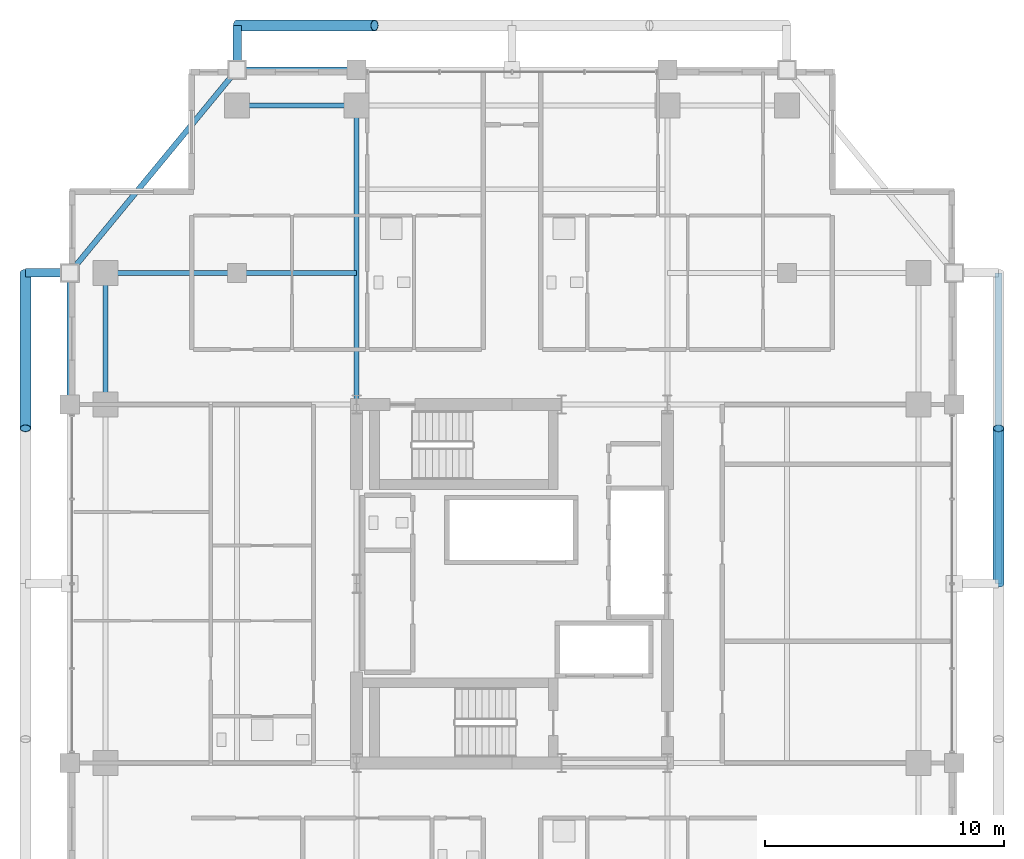
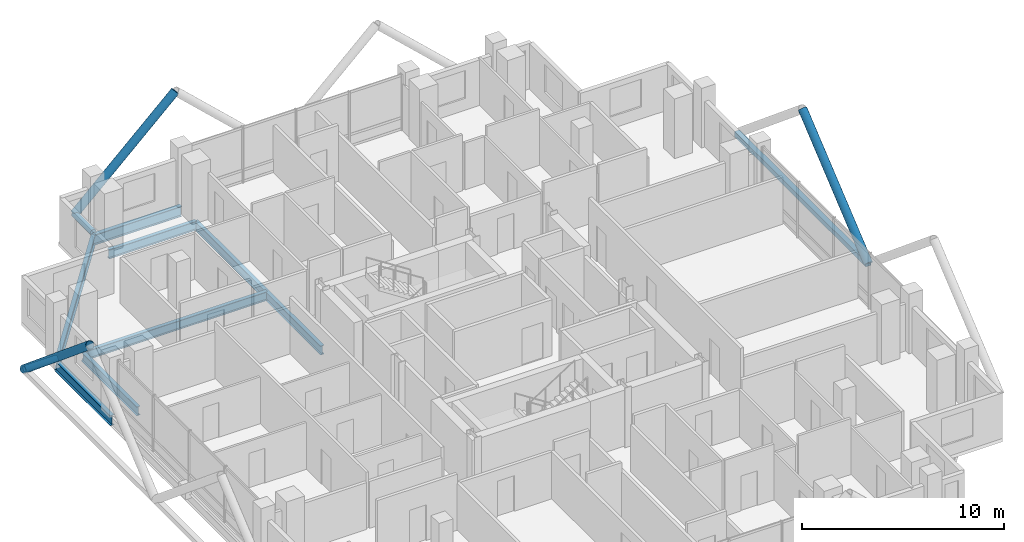
# One storey, part 14 of 26: 8 beams, 6 members.
"""IFC4 building model written with IfcOpenShell, lengths in metres."""

from ifc_helpers import new_model, si_unit, direction, frame, origin, origin_2d, place, context, subcontext, project, spatial, hollow_rectangle, hollow_circle, i_section, extrude, material, material_profile, profile_set, type_object, element, save


model = new_model("IFC4")

# Units and contexts
model_context = context("Model", 3, precision=1e-05, world=origin(), true_north=direction((0.0, 1.0)))
body_context = subcontext(model_context, "Body", "Model", "MODEL_VIEW")
ifc_project = project(units=[si_unit("LENGTHUNIT", "METRE"), si_unit("AREAUNIT", "SQUARE_METRE"), si_unit("VOLUMEUNIT", "CUBIC_METRE"), si_unit("PLANEANGLEUNIT", "RADIAN"), si_unit("MASSUNIT", "GRAM", prefix="KILO")], contexts=[model_context])

# Site, building, storey
site_placement = place(None, origin())
site = spatial("IfcSite", under=ifc_project, at=site_placement, CompositionType="ELEMENT")
building_placement = place(site_placement, origin())
building = spatial("IfcBuilding", under=site, at=building_placement, Name="Barlavira Tower and Art Museum", CompositionType="ELEMENT")
storey_placement = place(building_placement, frame((0.0, 0.0, 187.199951171875)))
storey = spatial("IfcBuildingStorey", under=building, at=storey_placement, Name="L48", CompositionType="ELEMENT", Elevation=187.199951171875)

# Members
ifc_material = material(Name="Steel S355", Category="steel")
ifc_material_profile_1 = material_profile(ifc_material, hollow_circle(Radius=0.228515625, WallThickness=0.02001953125, at=origin_2d()), Name="CHS 457.0x20.0")
ifc_profile_set_1 = profile_set([ifc_material_profile_1], Name="Steel S355")
member_type_1 = type_object("IfcMemberType", Name="Pale-Metal Exoskeleton Diagrid Tube CHS 457x20 Steel S355", PredefinedType="BRACE", material=ifc_profile_set_1)
member_1_placement = place(storey_placement, frame((-11.5, 23.35009765625, -0.119873046875), z_axis=(0.728950095515, 0.0, 0.684566839869), x_axis=(0.0, 1.0, 0.0)))
element("IfcMember", 1, at=member_1_placement, inside=storey, type_object=member_type_1, Name="L48 Exoskeleton Diagrid Tube N", PredefinedType="BRACE", context=body_context, shape_type="SweptSolid", body=[
    extrude(hollow_circle(Radius=0.228515625, WallThickness=0.02001953125, at=origin_2d()), origin(), (0.0, 0.0, 1.0), 7.887939453125),
])
for number, where, z_axis, x_axis, name in (
    (2, (-20.35009765625, 13.0, -0.119873046875), (0.0, -0.769196053329, 0.639012857104), (1.0, 0.0, 0.0), "L48 Exoskeleton Diagrid Tube W"),
    (3, (20.35009765625, 0.0, -0.119873046875), (0.0, 0.769196053329, 0.639012857104), (-1.0, 0.0, 0.0), "L48 Exoskeleton Diagrid Tube E"),
):
    element("IfcMember", number, at=place(storey_placement, frame(where, z_axis=z_axis, x_axis=x_axis)), inside=storey, type_object=member_type_1, Name=name, PredefinedType="BRACE", context=body_context, shape_type="SweptSolid", body=[
        extrude(hollow_circle(Radius=0.228515625, WallThickness=0.02001953125, at=origin_2d()), origin(), (0.0, 0.0, 1.0), 8.450439453125),
    ])
ifc_material_profile_2 = material_profile(ifc_material, hollow_circle(Radius=0.177734375, WallThickness=0.01611328125, at=origin_2d()), Name="CHS 355.6x16.0")
ifc_profile_set_2 = profile_set([ifc_material_profile_2], Name="Steel S355")
member_type_2 = type_object("IfcMemberType", Name="Pale-Metal Exoskeleton Tie Strut CHS 356x16 Steel S355", PredefinedType="STRUT", material=ifc_profile_set_2)
for number, where, z_axis, x_axis, name in (
    (4, (-11.5, 23.35009765625, -0.119873046875), (0.0, -1.0, 0.0), (1.0, 0.0, 0.0), "L48 Exoskeleton Tie Strut N1"),
    (5, (-20.35009765625, 13.0, -0.119873046875), (1.0, 0.0, 0.0), (0.0, 1.0, 0.0), "L48 Exoskeleton Tie Strut W3"),
):
    element("IfcMember", number, at=place(storey_placement, frame(where, z_axis=z_axis, x_axis=x_axis)), inside=storey, type_object=member_type_2, Name=name, PredefinedType="STRUT", context=body_context, shape_type="SweptSolid", body=[
        extrude(hollow_circle(Radius=0.177734375, WallThickness=0.01611328125, at=origin_2d()), origin(), (0.0, 0.0, 1.0), 1.85009765625),
    ])
ifc_material_profile_3 = material_profile(ifc_material, hollow_rectangle(XDim=0.300048828125, YDim=0.300048828125, WallThickness=0.01611328125, at=origin_2d()), Name="SHS 300x300x16.0")
ifc_profile_set_3 = profile_set([ifc_material_profile_3], Name="Steel S355")
member_type_3 = type_object("IfcMemberType", Name="Pale-Metal Upper Ring Strut SHS 300x300x16 Steel S355", PredefinedType="STRUT", material=ifc_profile_set_3)
member_2_placement = place(storey_placement, frame((20.35009765625, 0.0, -0.119873046875), z_axis=(0.0, 1.0, 0.0), x_axis=(-1.0, 0.0, 0.0)))
element("IfcMember", 6, at=member_2_placement, inside=storey, type_object=member_type_3, Name="L48 Exoskeleton Ring Strut E", PredefinedType="STRUT", context=body_context, shape_type="SweptSolid", body=[
    extrude(hollow_rectangle(XDim=0.300048828125, YDim=0.300048828125, WallThickness=0.01611328125, at=origin_2d()), origin(), (0.0, 0.0, 1.0), 13.0),
])

# Beams
ifc_material_profile_4 = material_profile(ifc_material, i_section(OverallWidth=0.22998046875, OverallDepth=0.616943359375, WebThickness=0.01318359375, FlangeThickness=0.022216796875, at=origin_2d()), Name="W610x140.0")
ifc_profile_set_4 = profile_set([ifc_material_profile_4], Name="Steel S355")
beam_type_1 = type_object("IfcBeamType", Name="Upper Shaft Spandrel Edge Beam W610x140 Steel S355", PredefinedType="SPANDREL", material=ifc_profile_set_4)
beam_1_placement = place(storey_placement, frame((-11.5, 21.5, -0.528564453125), z_axis=(1.0, 0.0, 0.0), x_axis=(0.0, 1.0, 0.0)))
element("IfcBeam", 7, at=beam_1_placement, inside=storey, type_object=beam_type_1, Name="L48 Spandrel 11", PredefinedType="SPANDREL", context=body_context, shape_type="SweptSolid", body=[
    extrude(i_section(OverallWidth=0.22998046875, OverallDepth=0.616943359375, WebThickness=0.01318359375, FlangeThickness=0.022216796875, at=origin_2d()), origin(), (0.0, 0.0, 1.0), 5.0),
])
beam_2_placement = place(storey_placement, frame((-11.5, 21.5, -0.528564453125), z_axis=(-0.635707252861, -0.771930235617, 0.0), x_axis=(0.771930235617, -0.635707252861, 0.0)))
element("IfcBeam", 8, at=beam_2_placement, inside=storey, type_object=beam_type_1, Name="L48 Spandrel 12", PredefinedType="SPANDREL", context=body_context, shape_type="SweptSolid", body=[
    extrude(i_section(OverallWidth=0.22998046875, OverallDepth=0.616943359375, WebThickness=0.01318359375, FlangeThickness=0.022216796875, at=origin_2d()), origin(), (0.0, 0.0, 1.0), 11.011474609375),
])
beam_3_placement = place(storey_placement, frame((-18.5, 7.5, -0.528564453125), z_axis=(0.0, 1.0, 0.0), x_axis=(-1.0, 0.0, 0.0)))
element("IfcBeam", 9, at=beam_3_placement, inside=storey, type_object=beam_type_1, Name="L48 Spandrel 13", PredefinedType="SPANDREL", context=body_context, shape_type="SweptSolid", body=[
    extrude(i_section(OverallWidth=0.22998046875, OverallDepth=0.616943359375, WebThickness=0.01318359375, FlangeThickness=0.022216796875, at=origin_2d()), origin(), (0.0, 0.0, 1.0), 5.5),
])
ifc_material_profile_5 = material_profile(ifc_material, i_section(OverallWidth=0.2109375, OverallDepth=0.5390625, WebThickness=0.01171875, FlangeThickness=0.018798828125, at=origin_2d()), Name="W530x109.0")
ifc_profile_set_5 = profile_set([ifc_material_profile_5], Name="Steel S355")
beam_type_2 = type_object("IfcBeamType", Name="Zone 3-4 Primary Floor Girder W530x109 Steel S355", PredefinedType="BEAM", material=ifc_profile_set_5)
beam_4_placement = place(storey_placement, frame((-11.5, 20.0, -0.489501953125), z_axis=(1.0, 0.0, 0.0), x_axis=(0.0, 1.0, 0.0)))
element("IfcBeam", 10, at=beam_4_placement, inside=storey, type_object=beam_type_2, Name="L48 Girder M-N1", PredefinedType="BEAM", context=body_context, shape_type="SweptSolid", body=[
    extrude(i_section(OverallWidth=0.2109375, OverallDepth=0.5390625, WebThickness=0.01171875, FlangeThickness=0.018798828125, at=origin_2d()), origin(), (0.0, 0.0, 1.0), 5.0),
])
beam_5_placement = place(storey_placement, frame((-17.0, 7.5, -0.489501953125), z_axis=(0.0, 1.0, 0.0), x_axis=(-1.0, 0.0, 0.0)))
element("IfcBeam", 11, at=beam_5_placement, inside=storey, type_object=beam_type_2, Name="L48 Girder M-W3", PredefinedType="BEAM", context=body_context, shape_type="SweptSolid", body=[
    extrude(i_section(OverallWidth=0.2109375, OverallDepth=0.5390625, WebThickness=0.01171875, FlangeThickness=0.018798828125, at=origin_2d()), origin(), (0.0, 0.0, 1.0), 5.5),
])
beam_6_placement = place(storey_placement, frame((-6.5, 7.5, -0.489501953125), z_axis=(0.0, 1.0, 0.0), x_axis=(-1.0, 0.0, 0.0)))
element("IfcBeam", 12, at=beam_6_placement, inside=storey, type_object=beam_type_2, Name="L48 Girder R-N1", PredefinedType="BEAM", context=body_context, shape_type="SweptSolid", body=[
    extrude(i_section(OverallWidth=0.2109375, OverallDepth=0.5390625, WebThickness=0.01171875, FlangeThickness=0.018798828125, at=origin_2d()), origin(), (0.0, 0.0, 1.0), 12.5),
])
beam_7_placement = place(storey_placement, frame((-17.0, 13.0, -0.489501953125), z_axis=(1.0, 0.0, 0.0), x_axis=(0.0, 1.0, 0.0)))
element("IfcBeam", 13, at=beam_7_placement, inside=storey, type_object=beam_type_2, Name="L48 Girder I-N1", PredefinedType="BEAM", context=body_context, shape_type="SweptSolid", body=[
    extrude(i_section(OverallWidth=0.2109375, OverallDepth=0.5390625, WebThickness=0.01171875, FlangeThickness=0.018798828125, at=origin_2d()), origin(), (0.0, 0.0, 1.0), 5.5),
])
beam_8_placement = place(storey_placement, frame((-11.5, 13.0, -0.489501953125), z_axis=(1.0, 0.0, 0.0), x_axis=(0.0, 1.0, 0.0)))
element("IfcBeam", 14, at=beam_8_placement, inside=storey, type_object=beam_type_2, Name="L48 Girder I-N2", PredefinedType="BEAM", context=body_context, shape_type="SweptSolid", body=[
    extrude(i_section(OverallWidth=0.2109375, OverallDepth=0.5390625, WebThickness=0.01171875, FlangeThickness=0.018798828125, at=origin_2d()), origin(), (0.0, 0.0, 1.0), 5.0),
])

save(model, "model.ifc")
